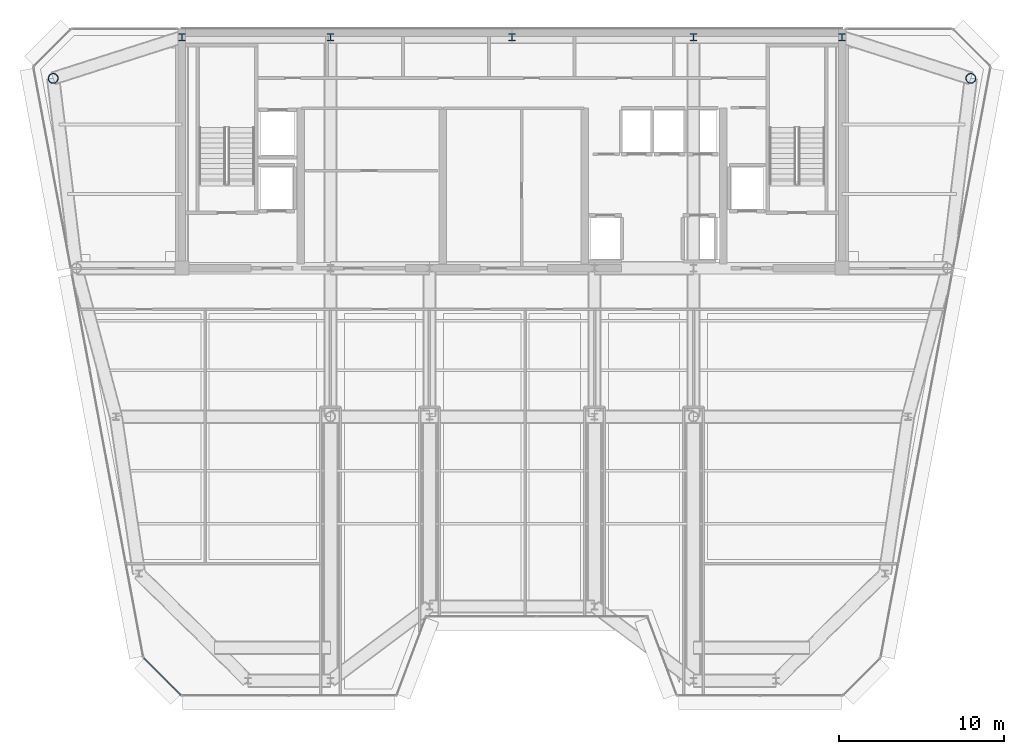
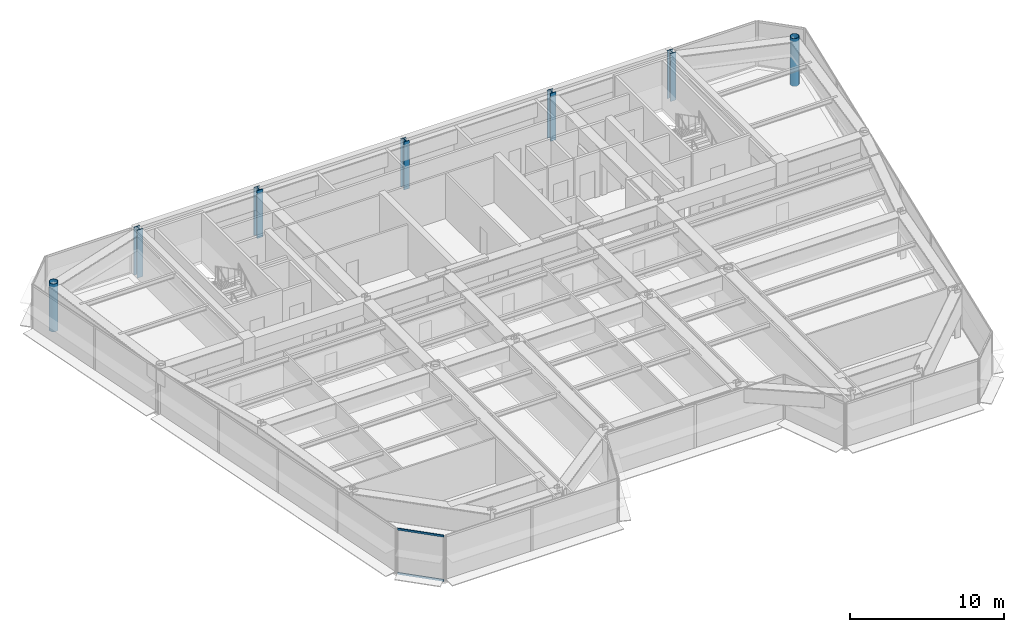
# One storey, part 2 of 18: 7 columns, 2 members, 1 element without a shape of its own.
"""IFC4 building model written with IfcOpenShell, lengths in metres."""

from ifc_helpers import new_model, si_unit, direction, frame, origin, origin_2d, place, context, subcontext, project, spatial, rectangle, hollow_circle, i_section, extrude, source, transform, mapped, material, layer, layer_set, material_profile, profile_set, type_object, element, aggregate, save


model = new_model("IFC4")

# Units and contexts
model_context = context("Model", 3, precision=1e-05, world=origin(), true_north=direction((0.0, 1.0)))
body_context = subcontext(model_context, "Body", "Model", "MODEL_VIEW")
ifc_project = project(units=[si_unit("LENGTHUNIT", "METRE"), si_unit("AREAUNIT", "SQUARE_METRE"), si_unit("VOLUMEUNIT", "CUBIC_METRE"), si_unit("PLANEANGLEUNIT", "RADIAN"), si_unit("MASSUNIT", "GRAM", prefix="KILO")], contexts=[model_context])

# Site, building, storey
site_placement = place(None, origin())
site = spatial("IfcSite", under=ifc_project, at=site_placement, CompositionType="ELEMENT")
building_placement = place(site_placement, origin())
building = spatial("IfcBuilding", under=site, at=building_placement, Name="Vaeldorn Concourse Tower", CompositionType="ELEMENT")
storey_placement = place(building_placement, frame((0.0, 0.0, 265.0)))
storey = spatial("IfcBuildingStorey", under=building, at=storey_placement, Name="L68", CompositionType="ELEMENT", Elevation=265.0)

# Columns
ifc_material_1 = material(Name="Steel S460", Category="steel")
ifc_material_profile_1 = material_profile(ifc_material_1, i_section(OverallWidth=0.41796875, OverallDepth=0.455078125, WebThickness=0.0419921875, FlangeThickness=0.05810546875, FilletRadius=0.014892578125, at=origin_2d()), Name="HD 400x551")
ifc_profile_set_1 = profile_set([ifc_material_profile_1], Name="Steel S460")
column_type_1 = type_object("IfcColumnType", Name="COL-HD551", PredefinedType="COLUMN", material=ifc_profile_set_1)
shared_shape_1 = source(origin(), body_context, "Body", "SweptSolid", [
    extrude(i_section(OverallWidth=0.41796875, OverallDepth=0.455078125, WebThickness=0.0419921875, FlangeThickness=0.05810546875, FilletRadius=0.014892578125, at=origin_2d()), origin(), (0.0, 0.0, 1.0), 3.800048828125),
])
for number, where, z_axis, x_axis, name in (
    (1, (14.0, 50.5, 0.0), (0.0, 0.0, 1.0), (1.0, 0.0, 0.0), "Column C-HC1 L68"),
    (2, (23.0, 50.5, 0.0), (0.0, 0.0, 1.0), (1.0, 0.0, 0.0), "Column C-HC2 L68"),
    (3, (34.0, 50.5, 0.0), (0.0, 0.0, 1.0), (1.0, 0.0, 0.0), "Column C-HC3 L68"),
    (4, (45.0, 50.5, 0.0), (0.0, 0.0, 1.0), (1.0, 0.0, 0.0), "Column C-HC4 L68"),
    (5, (54.0, 50.5, 0.0), (0.0, 0.0, 1.0), (1.0, 0.0, 0.0), "Column C-HC5 L68"),
):
    element("IfcColumn", number, at=place(storey_placement, frame(where, z_axis=z_axis, x_axis=x_axis)), inside=storey, type_object=column_type_1, Name=name, PredefinedType="COLUMN", context=body_context, shape_type="MappedRepresentation", body=[
        mapped(shared_shape_1, transform((0.0, 0.0, 0.0), scale=1.0)),
    ])
ifc_material_2 = material(Name="Steel S355", Category="steel")
ifc_material_profile_2 = material_profile(ifc_material_2, hollow_circle(Radius=0.304931640625, WallThickness=0.030029296875, at=origin_2d()), Name="CHS 610x30")
ifc_profile_set_2 = profile_set([ifc_material_profile_2], Name="Steel S355")
column_type_2 = type_object("IfcColumnType", Name="COL-CHS610", PredefinedType="COLUMN", material=ifc_profile_set_2)
shared_shape_2 = source(origin(), body_context, "Body", "SweptSolid", [
    extrude(hollow_circle(Radius=0.304931640625, WallThickness=0.030029296875, at=origin_2d()), origin(), (0.0, 0.0, 1.0), 3.800048828125),
])
for number, where, z_axis, x_axis, name in (
    (6, (6.199951171875, 48.0, 0.0), (0.0, 0.0, 1.0), (1.0, 0.0, 0.0), "Column C-NW1 L68"),
    (7, (61.800048828125, 48.0, 0.0), (0.0, 0.0, 1.0), (1.0, 0.0, 0.0), "Column C-NE1 L68"),
):
    element("IfcColumn", number, at=place(storey_placement, frame(where, z_axis=z_axis, x_axis=x_axis)), inside=storey, type_object=column_type_2, Name=name, PredefinedType="COLUMN", context=body_context, shape_type="MappedRepresentation", body=[
        mapped(shared_shape_2, transform((0.0, 0.0, 0.0), scale=1.0)),
    ])

# Curtain wall, members
ifc_material_3 = material(Name="Anodised Bronze Aluminium", Category="aluminium")
ifc_layer = layer(ifc_material_3, 0.179931640625)
ifc_layer_set = layer_set([ifc_layer], Name="Anodised Bronze Aluminium")
curtain_wall_type = type_object("IfcCurtainWallType", Name="CW-SYS-05", PredefinedType="NOTDEFINED", material=ifc_layer_set)
curtain_wall_placement = place(storey_placement, origin())
curtain_wall = element("IfcCurtainWall", 8, at=curtain_wall_placement, inside=storey, type_object=curtain_wall_type, Name="Unitised Curtain Wall CW-L68-E12-1", PredefinedType="NOTDEFINED")
ifc_material_profile_3 = material_profile(ifc_material_3, rectangle(XDim=0.06494140625, YDim=0.14990234375, at=origin_2d()), Name="CWT 65x150")
ifc_profile_set_3 = profile_set([ifc_material_profile_3], Name="Anodised Bronze Aluminium")
member_type = type_object("IfcMemberType", Name="CWT-BRONZE-150", PredefinedType="USERDEFINED", material=ifc_profile_set_3)
shared_shape_3 = source(origin(), body_context, "Body", "SweptSolid", [
    extrude(rectangle(XDim=0.06494140625, YDim=0.14990234375, at=origin_2d()), origin(), (0.0, 0.0, 1.0), 3.12255859375),
])
member_1_placement = place(storey_placement, frame((11.7119140625, 12.85400390625, 0.032470703125), z_axis=(0.707106781187, -0.707106781187, 0.0), x_axis=(0.707106781187, 0.707106781187, 0.0)))
member_1 = element("IfcMember", 9, at=member_1_placement, type_object=member_type, Name="CW-05 transom 1.1", ObjectType="TRANSOM", PredefinedType="USERDEFINED", context=body_context, shape_type="MappedRepresentation", body=[
    mapped(shared_shape_3, transform((0.0, 0.0, 0.0), scale=1.0)),
])
member_2_placement = place(storey_placement, frame((11.7119140625, 12.85400390625, 3.547607421875), z_axis=(0.707106781187, -0.707106781187, 0.0), x_axis=(0.707106781187, 0.707106781187, 0.0)))
member_2 = element("IfcMember", 10, at=member_2_placement, type_object=member_type, Name="CW-05 transom 1.2", ObjectType="TRANSOM", PredefinedType="USERDEFINED", context=body_context, shape_type="MappedRepresentation", body=[
    mapped(shared_shape_3, transform((0.0, 0.0, 0.0), scale=1.0)),
])
aggregate(curtain_wall, [member_1, member_2])

save(model, "model.ifc")
